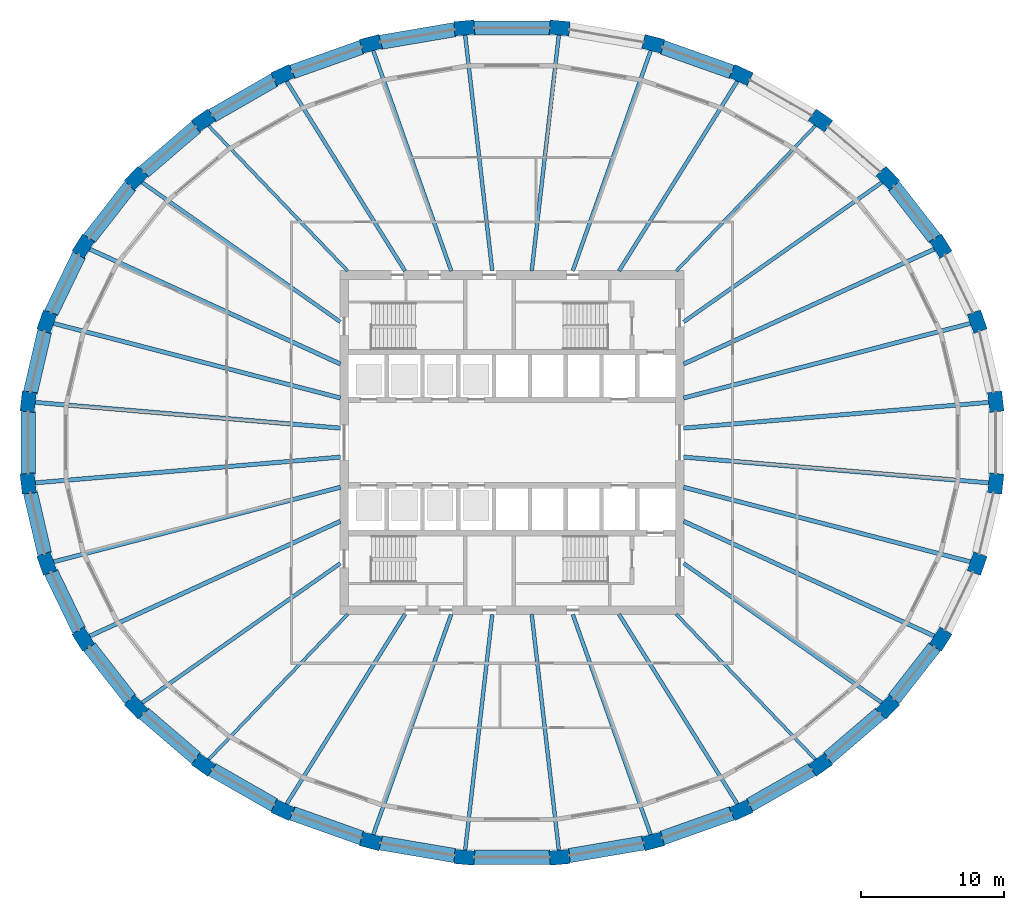
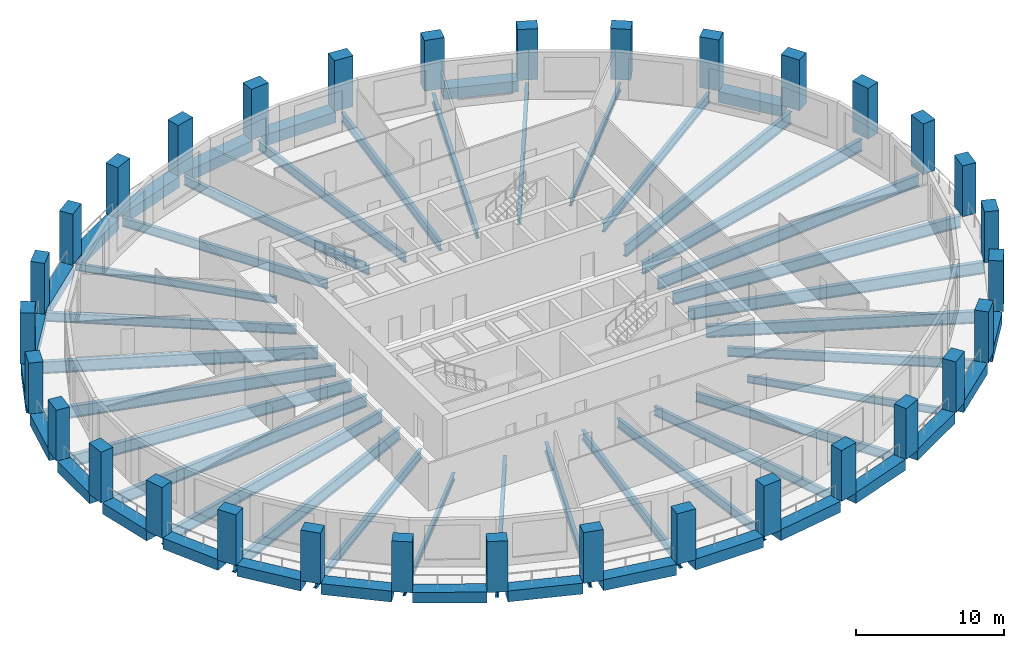
# One storey, part 1 of 10: 56 beams, 32 columns.
"""IFC4 building model written with IfcOpenShell, lengths in metres."""

from ifc_helpers import new_model, si_unit, direction, frame, origin, origin_2d, place, context, subcontext, project, spatial, rectangle, i_section, extrude, material, material_profile, profile_set, type_object, element, save


model = new_model("IFC4")

# Units and contexts
model_context = context("Model", 3, precision=1e-05, world=origin(), true_north=direction((0.0, 1.0)))
body_context = subcontext(model_context, "Body", "Model", "MODEL_VIEW")
ifc_project = project(units=[si_unit("LENGTHUNIT", "METRE"), si_unit("AREAUNIT", "SQUARE_METRE"), si_unit("VOLUMEUNIT", "CUBIC_METRE"), si_unit("PLANEANGLEUNIT", "RADIAN"), si_unit("MASSUNIT", "GRAM", prefix="KILO")], contexts=[model_context])

# Site, building, storey
site_placement = place(None, origin())
site = spatial("IfcSite", under=ifc_project, at=site_placement, CompositionType="ELEMENT")
building_placement = place(site_placement, origin())
building = spatial("IfcBuilding", under=site, at=building_placement, Name="Halqa Exchange Tower", CompositionType="ELEMENT")
storey_placement = place(building_placement, frame((0.0, 0.0, 159.10009765625)))
storey = spatial("IfcBuildingStorey", under=building, at=storey_placement, Name="L36", CompositionType="ELEMENT", Elevation=159.10009765625)

# Columns
ifc_material_1 = material(Name="Concrete C70/85", Category="concrete")
ifc_material_profile_1 = material_profile(ifc_material_1, rectangle(XDim=1.39990234375, YDim=1.0, at=origin_2d()), Name="1400 x 1000")
ifc_profile_set_1 = profile_set([ifc_material_profile_1], Name="Concrete C70/85")
column_type = type_object("IfcColumnType", Name="RC ring column 1400 x 1000 C70/85", PredefinedType="COLUMN", material=ifc_profile_set_1)
for number, where, z_axis, x_axis, name in (
    (1, (33.7578125, 2.849853515625, 0.0), (0.0, 0.0, 1.0), (-0.114155188058, 0.993462929877, 0.0), "Ring column 1"),
    (2, (32.46044921875, 8.440185546875, 0.0), (0.0, 0.0, 1.0), (-0.333634105554, 0.942702648565, 0.0), "Ring column 2"),
    (3, (29.915771484375, 13.7060546875, 0.0), (0.0, 0.0, 1.0), (-0.529143458197, 0.848532380435, 0.0), "Ring column 3"),
    (4, (26.221435546875, 18.445068359375, 0.0), (0.0, 0.0, 1.0), (-0.691578612608, 0.722301199351, 0.0), "Ring column 4"),
    (5, (21.519287109375, 22.475341796875, 0.0), (0.0, 0.0, 1.0), (-0.817910796357, 0.575345052297, 0.0), "Ring column 5"),
    (6, (15.990234375, 25.64208984375, 0.0), (0.0, 0.0, 1.0), (-0.909126368869, 0.416520402174, 0.0), "Ring column 6"),
    (7, (9.8466796875, 27.8232421875, 0.0), (0.0, 0.0, 1.0), (-0.967819503571, 0.251645402317, 0.0), "Ring column 7"),
    (8, (3.32470703125, 28.935302734375, 0.0), (0.0, 0.0, 1.0), (-0.996455225341, 0.084124811391, 0.0), "Ring column 8"),
    (9, (-3.32470703125, 28.935302734375, 0.0), (0.0, 0.0, 1.0), (-0.996455225341, -0.084124811391, 0.0), "Ring column 9"),
    (10, (-9.8466796875, 27.8232421875, 0.0), (0.0, 0.0, 1.0), (-0.967819503571, -0.251645402317, 0.0), "Ring column 10"),
    (11, (-15.990234375, 25.64208984375, 0.0), (0.0, 0.0, 1.0), (-0.909126368869, -0.416520402174, 0.0), "Ring column 11"),
    (12, (-21.519287109375, 22.475341796875, 0.0), (0.0, 0.0, 1.0), (-0.817910796357, -0.575345052297, 0.0), "Ring column 12"),
    (13, (-26.221435546875, 18.445068359375, 0.0), (0.0, 0.0, 1.0), (-0.691578612608, -0.722301199351, 0.0), "Ring column 13"),
    (14, (-29.915771484375, 13.7060546875, 0.0), (0.0, 0.0, 1.0), (-0.529143458197, -0.848532380435, 0.0), "Ring column 14"),
    (15, (-32.46044921875, 8.440185546875, 0.0), (0.0, 0.0, 1.0), (-0.333634105554, -0.942702648565, 0.0), "Ring column 15"),
    (16, (-33.7578125, 2.849853515625, 0.0), (0.0, 0.0, 1.0), (-0.114155188058, -0.993462929877, 0.0), "Ring column 16"),
    (17, (-33.7578125, -2.849853515625, 0.0), (0.0, 0.0, 1.0), (0.114155188058, -0.993462929877, 0.0), "Ring column 17"),
    (18, (-32.46044921875, -8.440185546875, 0.0), (0.0, 0.0, 1.0), (0.333634105554, -0.942702648565, 0.0), "Ring column 18"),
    (19, (-29.915771484375, -13.7060546875, 0.0), (0.0, 0.0, 1.0), (0.529143458197, -0.848532380435, 0.0), "Ring column 19"),
    (20, (-26.221435546875, -18.445068359375, 0.0), (0.0, 0.0, 1.0), (0.691578612608, -0.722301199351, 0.0), "Ring column 20"),
    (21, (-21.519287109375, -22.475341796875, 0.0), (0.0, 0.0, 1.0), (0.817910796357, -0.575345052297, 0.0), "Ring column 21"),
    (22, (-15.990234375, -25.64208984375, 0.0), (0.0, 0.0, 1.0), (0.909126368869, -0.416520402174, 0.0), "Ring column 22"),
    (23, (-9.8466796875, -27.8232421875, 0.0), (0.0, 0.0, 1.0), (0.967819503571, -0.251645402317, 0.0), "Ring column 23"),
    (24, (-3.32470703125, -28.935302734375, 0.0), (0.0, 0.0, 1.0), (0.996455225341, -0.084124811391, 0.0), "Ring column 24"),
    (25, (3.32470703125, -28.935302734375, 0.0), (0.0, 0.0, 1.0), (0.996455225341, 0.084124811391, 0.0), "Ring column 25"),
    (26, (9.8466796875, -27.8232421875, 0.0), (0.0, 0.0, 1.0), (0.967819503571, 0.251645402317, 0.0), "Ring column 26"),
    (27, (15.990234375, -25.64208984375, 0.0), (0.0, 0.0, 1.0), (0.909126368869, 0.416520402174, 0.0), "Ring column 27"),
    (28, (21.519287109375, -22.475341796875, 0.0), (0.0, 0.0, 1.0), (0.817910796357, 0.575345052297, 0.0), "Ring column 28"),
    (29, (26.221435546875, -18.445068359375, 0.0), (0.0, 0.0, 1.0), (0.691578612608, 0.722301199351, 0.0), "Ring column 29"),
    (30, (29.915771484375, -13.7060546875, 0.0), (0.0, 0.0, 1.0), (0.529143458197, 0.848532380435, 0.0), "Ring column 30"),
    (31, (32.46044921875, -8.440185546875, 0.0), (0.0, 0.0, 1.0), (0.333634105554, 0.942702648565, 0.0), "Ring column 31"),
    (32, (33.7578125, -2.849853515625, 0.0), (0.0, 0.0, 1.0), (0.114155188058, 0.993462929877, 0.0), "Ring column 32"),
):
    element("IfcColumn", number, at=place(storey_placement, frame(where, z_axis=z_axis, x_axis=x_axis)), inside=storey, type_object=column_type, Name=name, PredefinedType="COLUMN", context=body_context, shape_type="SweptSolid", body=[
        extrude(rectangle(XDim=1.39990234375, YDim=1.0, at=origin_2d()), origin(), (0.0, 0.0, 1.0), 4.199951171875),
    ])

# Beams
ifc_material_2 = material(Name="Steel S355", Category="steel")
ifc_material_profile_2 = material_profile(ifc_material_2, i_section(OverallWidth=0.300048828125, OverallDepth=0.989990234375, WebThickness=0.0166015625, FlangeThickness=0.031005859375, FilletRadius=0.030029296875, at=origin_2d()), Name="HEA 1000")
ifc_profile_set_2 = profile_set([ifc_material_profile_2], Name="Steel S355")
beam_type_1 = type_object("IfcBeamType", Name="Floor beam HEA 1000", PredefinedType="BEAM", material=ifc_profile_set_2)
beam_1_placement = place(storey_placement, frame((11.972412109375, 1.0107421875, -0.795166015625), z_axis=(0.996455470836, 0.084121903455, 0.0), x_axis=(-0.084121903455, 0.996455470836, 0.0)))
element("IfcBeam", 33, at=beam_1_placement, inside=storey, type_object=beam_type_1, Name="Radial beam 1", PredefinedType="BEAM", context=body_context, shape_type="SweptSolid", body=[
    extrude(i_section(OverallWidth=0.300048828125, OverallDepth=0.989990234375, WebThickness=0.0166015625, FlangeThickness=0.031005859375, FilletRadius=0.030029296875, at=origin_2d()), origin(), (0.0, 0.0, 1.0), 21.490966796875),
])
beam_2_placement = place(storey_placement, frame((11.97119140625, 3.11279296875, -0.795166015625), z_axis=(0.967821534715, 0.251637590478, 0.0), x_axis=(-0.251637590478, 0.967821534715, 0.0)))
element("IfcBeam", 34, at=beam_2_placement, inside=storey, type_object=beam_type_1, Name="Radial beam 2", PredefinedType="BEAM", context=body_context, shape_type="SweptSolid", body=[
    extrude(i_section(OverallWidth=0.300048828125, OverallDepth=0.989990234375, WebThickness=0.0166015625, FlangeThickness=0.031005859375, FilletRadius=0.030029296875, at=origin_2d()), origin(), (0.0, 0.0, 1.0), 20.79638671875),
])
for number, where, z_axis, x_axis, name in (
    (35, (11.972412109375, 5.4853515625, -0.795166015625), (0.909131678644, 0.416508812495, 0.0), (-0.416508812495, 0.909131678644, 0.0), "Radial beam 3"),
    (36, (-11.972412109375, 5.4853515625, -0.795166015625), (-0.909131678644, 0.416508812495, 0.0), (-0.416508812495, -0.909131678644, 0.0), "Radial beam 14"),
):
    element("IfcBeam", number, at=place(storey_placement, frame(where, z_axis=z_axis, x_axis=x_axis)), inside=storey, type_object=beam_type_1, Name=name, PredefinedType="BEAM", context=body_context, shape_type="SweptSolid", body=[
        extrude(i_section(OverallWidth=0.300048828125, OverallDepth=0.989990234375, WebThickness=0.0166015625, FlangeThickness=0.031005859375, FilletRadius=0.030029296875, at=origin_2d()), origin(), (0.0, 0.0, 1.0), 19.36083984375),
    ])
beam_3_placement = place(storey_placement, frame((-11.97119140625, 3.11279296875, -0.795166015625), z_axis=(-0.967821534715, 0.251637590478, 0.0), x_axis=(-0.251637590478, -0.967821534715, 0.0)))
element("IfcBeam", 37, at=beam_3_placement, inside=storey, type_object=beam_type_1, Name="Radial beam 15", PredefinedType="BEAM", context=body_context, shape_type="SweptSolid", body=[
    extrude(i_section(OverallWidth=0.300048828125, OverallDepth=0.989990234375, WebThickness=0.0166015625, FlangeThickness=0.031005859375, FilletRadius=0.030029296875, at=origin_2d()), origin(), (0.0, 0.0, 1.0), 20.79638671875),
])
for number, where, z_axis, x_axis, name in (
    (38, (-11.972412109375, 1.0107421875, -0.795166015625), (-0.996455470836, 0.084121903455, 0.0), (-0.084121903455, -0.996455470836, 0.0), "Radial beam 16"),
    (39, (-11.972412109375, -1.0107421875, -0.795166015625), (-0.996455470836, -0.084121903455, 0.0), (0.084121903455, -0.996455470836, 0.0), "Radial beam 17"),
):
    element("IfcBeam", number, at=place(storey_placement, frame(where, z_axis=z_axis, x_axis=x_axis)), inside=storey, type_object=beam_type_1, Name=name, PredefinedType="BEAM", context=body_context, shape_type="SweptSolid", body=[
        extrude(i_section(OverallWidth=0.300048828125, OverallDepth=0.989990234375, WebThickness=0.0166015625, FlangeThickness=0.031005859375, FilletRadius=0.030029296875, at=origin_2d()), origin(), (0.0, 0.0, 1.0), 21.490966796875),
    ])
beam_4_placement = place(storey_placement, frame((-11.97119140625, -3.11279296875, -0.795166015625), z_axis=(-0.967821534715, -0.251637590478, 0.0), x_axis=(0.251637590478, -0.967821534715, 0.0)))
element("IfcBeam", 40, at=beam_4_placement, inside=storey, type_object=beam_type_1, Name="Radial beam 18", PredefinedType="BEAM", context=body_context, shape_type="SweptSolid", body=[
    extrude(i_section(OverallWidth=0.300048828125, OverallDepth=0.989990234375, WebThickness=0.0166015625, FlangeThickness=0.031005859375, FilletRadius=0.030029296875, at=origin_2d()), origin(), (0.0, 0.0, 1.0), 20.79638671875),
])
for number, where, z_axis, x_axis, name in (
    (41, (-11.972412109375, -5.4853515625, -0.795166015625), (-0.909131678644, -0.416508812495, 0.0), (0.416508812495, -0.909131678644, 0.0), "Radial beam 19"),
    (42, (11.972412109375, -5.4853515625, -0.795166015625), (0.909131678644, -0.416508812495, 0.0), (0.416508812495, 0.909131678644, 0.0), "Radial beam 30"),
):
    element("IfcBeam", number, at=place(storey_placement, frame(where, z_axis=z_axis, x_axis=x_axis)), inside=storey, type_object=beam_type_1, Name=name, PredefinedType="BEAM", context=body_context, shape_type="SweptSolid", body=[
        extrude(i_section(OverallWidth=0.300048828125, OverallDepth=0.989990234375, WebThickness=0.0166015625, FlangeThickness=0.031005859375, FilletRadius=0.030029296875, at=origin_2d()), origin(), (0.0, 0.0, 1.0), 19.36083984375),
    ])
beam_5_placement = place(storey_placement, frame((11.97119140625, -3.11279296875, -0.795166015625), z_axis=(0.967821534715, -0.251637590478, 0.0), x_axis=(0.251637590478, 0.967821534715, 0.0)))
element("IfcBeam", 43, at=beam_5_placement, inside=storey, type_object=beam_type_1, Name="Radial beam 31", PredefinedType="BEAM", context=body_context, shape_type="SweptSolid", body=[
    extrude(i_section(OverallWidth=0.300048828125, OverallDepth=0.989990234375, WebThickness=0.0166015625, FlangeThickness=0.031005859375, FilletRadius=0.030029296875, at=origin_2d()), origin(), (0.0, 0.0, 1.0), 20.79638671875),
])
beam_6_placement = place(storey_placement, frame((11.972412109375, -1.0107421875, -0.795166015625), z_axis=(0.996455470836, -0.084121903455, 0.0), x_axis=(0.084121903455, 0.996455470836, 0.0)))
element("IfcBeam", 44, at=beam_6_placement, inside=storey, type_object=beam_type_1, Name="Radial beam 32", PredefinedType="BEAM", context=body_context, shape_type="SweptSolid", body=[
    extrude(i_section(OverallWidth=0.300048828125, OverallDepth=0.989990234375, WebThickness=0.0166015625, FlangeThickness=0.031005859375, FilletRadius=0.030029296875, at=origin_2d()), origin(), (0.0, 0.0, 1.0), 21.490966796875),
])
ifc_material_profile_3 = material_profile(ifc_material_2, i_section(OverallWidth=0.219970703125, OverallDepth=0.60009765625, WebThickness=0.011962890625, FlangeThickness=0.01904296875, FilletRadius=0.02392578125, at=origin_2d()), Name="IPE 600")
ifc_profile_set_3 = profile_set([ifc_material_profile_3], Name="Steel S355")
beam_type_2 = type_object("IfcBeamType", Name="Floor beam IPE 600", PredefinedType="BEAM", material=ifc_profile_set_3)
for number, where, z_axis, x_axis, name in (
    (45, (11.463134765625, 11.972412109375, -0.60009765625), (0.69157436899, 0.722305262445, 0.0), (-0.722305262445, 0.69157436899, 0.0), "Radial beam 5"),
    (46, (-11.463134765625, 11.972412109375, -0.60009765625), (-0.69157436899, 0.722305262445, 0.0), (-0.722305262445, -0.69157436899, 0.0), "Radial beam 12"),
    (47, (-11.463134765625, -11.972412109375, -0.60009765625), (-0.69157436899, -0.722305262445, 0.0), (0.722305262445, -0.69157436899, 0.0), "Radial beam 21"),
    (48, (11.463134765625, -11.972412109375, -0.60009765625), (0.69157436899, -0.722305262445, 0.0), (0.722305262445, 0.69157436899, 0.0), "Radial beam 28"),
):
    element("IfcBeam", number, at=place(storey_placement, frame(where, z_axis=z_axis, x_axis=x_axis)), inside=storey, type_object=beam_type_2, Name=name, PredefinedType="BEAM", context=body_context, shape_type="SweptSolid", body=[
        extrude(i_section(OverallWidth=0.219970703125, OverallDepth=0.60009765625, WebThickness=0.011962890625, FlangeThickness=0.01904296875, FilletRadius=0.02392578125, at=origin_2d()), origin(), (0.0, 0.0, 1.0), 14.1650390625),
    ])
ifc_material_profile_4 = material_profile(ifc_material_2, i_section(OverallWidth=0.264892578125, OverallDepth=0.7529296875, WebThickness=0.01318359375, FlangeThickness=0.01708984375, FilletRadius=0.01708984375, at=origin_2d()), Name="IPE 750x147")
ifc_profile_set_4 = profile_set([ifc_material_profile_4], Name="Steel S355")
beam_type_3 = type_object("IfcBeamType", Name="Floor beam IPE 750x147", PredefinedType="BEAM", material=ifc_profile_set_4)
beam_7_placement = place(storey_placement, frame((11.97216796875, 8.421630859375, -0.676513671875), z_axis=(0.817907520887, 0.575349708678, 0.0), x_axis=(-0.575349708678, 0.817907520887, 0.0)))
element("IfcBeam", 49, at=beam_7_placement, inside=storey, type_object=beam_type_3, Name="Radial beam 4", PredefinedType="BEAM", context=body_context, shape_type="SweptSolid", body=[
    extrude(i_section(OverallWidth=0.264892578125, OverallDepth=0.7529296875, WebThickness=0.01318359375, FlangeThickness=0.01708984375, FilletRadius=0.01708984375, at=origin_2d()), origin(), (0.0, 0.0, 1.0), 17.04541015625),
])
beam_8_placement = place(storey_placement, frame((7.466064453125, 11.972412109375, -0.676513671875), z_axis=(0.529133889927, 0.848538347119, 0.0), x_axis=(-0.848538347119, 0.529133889927, 0.0)))
element("IfcBeam", 50, at=beam_8_placement, inside=storey, type_object=beam_type_3, Name="Radial beam 6", PredefinedType="BEAM", context=body_context, shape_type="SweptSolid", body=[
    extrude(i_section(OverallWidth=0.264892578125, OverallDepth=0.7529296875, WebThickness=0.01318359375, FlangeThickness=0.01708984375, FilletRadius=0.01708984375, at=origin_2d()), origin(), (0.0, 0.0, 1.0), 15.733642578125),
])
beam_9_placement = place(storey_placement, frame((4.23681640625, 11.9716796875, -0.676513671875), z_axis=(0.333623926377, 0.942706251039, 0.0), x_axis=(-0.942706251039, 0.333623926377, 0.0)))
element("IfcBeam", 51, at=beam_9_placement, inside=storey, type_object=beam_type_3, Name="Radial beam 7", PredefinedType="BEAM", context=body_context, shape_type="SweptSolid", body=[
    extrude(i_section(OverallWidth=0.264892578125, OverallDepth=0.7529296875, WebThickness=0.01318359375, FlangeThickness=0.01708984375, FilletRadius=0.01708984375, at=origin_2d()), origin(), (0.0, 0.0, 1.0), 16.44091796875),
])
for number, where, z_axis, x_axis, name in (
    (52, (1.375732421875, 11.972900390625, -0.676513671875), (0.114148055141, 0.993463749468, 0.0), (-0.993463749468, 0.114148055141, 0.0), "Radial beam 8"),
    (53, (-1.375732421875, 11.972900390625, -0.676513671875), (-0.114148055141, 0.993463749468, 0.0), (-0.993463749468, -0.114148055141, 0.0), "Radial beam 9"),
):
    element("IfcBeam", number, at=place(storey_placement, frame(where, z_axis=z_axis, x_axis=x_axis)), inside=storey, type_object=beam_type_3, Name=name, PredefinedType="BEAM", context=body_context, shape_type="SweptSolid", body=[
        extrude(i_section(OverallWidth=0.264892578125, OverallDepth=0.7529296875, WebThickness=0.01318359375, FlangeThickness=0.01708984375, FilletRadius=0.01708984375, at=origin_2d()), origin(), (0.0, 0.0, 1.0), 16.701904296875),
    ])
beam_10_placement = place(storey_placement, frame((-4.23681640625, 11.9716796875, -0.676513671875), z_axis=(-0.333623926377, 0.942706251039, 0.0), x_axis=(-0.942706251039, -0.333623926377, 0.0)))
element("IfcBeam", 54, at=beam_10_placement, inside=storey, type_object=beam_type_3, Name="Radial beam 10", PredefinedType="BEAM", context=body_context, shape_type="SweptSolid", body=[
    extrude(i_section(OverallWidth=0.264892578125, OverallDepth=0.7529296875, WebThickness=0.01318359375, FlangeThickness=0.01708984375, FilletRadius=0.01708984375, at=origin_2d()), origin(), (0.0, 0.0, 1.0), 16.44091796875),
])
beam_11_placement = place(storey_placement, frame((-7.466064453125, 11.972412109375, -0.676513671875), z_axis=(-0.529133889927, 0.848538347119, 0.0), x_axis=(-0.848538347119, -0.529133889927, 0.0)))
element("IfcBeam", 55, at=beam_11_placement, inside=storey, type_object=beam_type_3, Name="Radial beam 11", PredefinedType="BEAM", context=body_context, shape_type="SweptSolid", body=[
    extrude(i_section(OverallWidth=0.264892578125, OverallDepth=0.7529296875, WebThickness=0.01318359375, FlangeThickness=0.01708984375, FilletRadius=0.01708984375, at=origin_2d()), origin(), (0.0, 0.0, 1.0), 15.733642578125),
])
for number, where, z_axis, x_axis, name in (
    (56, (-11.97216796875, 8.421630859375, -0.676513671875), (-0.817907520887, 0.575349708678, 0.0), (-0.575349708678, -0.817907520887, 0.0), "Radial beam 13"),
    (57, (-11.97216796875, -8.421630859375, -0.676513671875), (-0.817907520887, -0.575349708678, 0.0), (0.575349708678, -0.817907520887, 0.0), "Radial beam 20"),
):
    element("IfcBeam", number, at=place(storey_placement, frame(where, z_axis=z_axis, x_axis=x_axis)), inside=storey, type_object=beam_type_3, Name=name, PredefinedType="BEAM", context=body_context, shape_type="SweptSolid", body=[
        extrude(i_section(OverallWidth=0.264892578125, OverallDepth=0.7529296875, WebThickness=0.01318359375, FlangeThickness=0.01708984375, FilletRadius=0.01708984375, at=origin_2d()), origin(), (0.0, 0.0, 1.0), 17.04541015625),
    ])
beam_12_placement = place(storey_placement, frame((-7.466064453125, -11.972412109375, -0.676513671875), z_axis=(-0.529133889927, -0.848538347119, 0.0), x_axis=(0.848538347119, -0.529133889927, 0.0)))
element("IfcBeam", 58, at=beam_12_placement, inside=storey, type_object=beam_type_3, Name="Radial beam 22", PredefinedType="BEAM", context=body_context, shape_type="SweptSolid", body=[
    extrude(i_section(OverallWidth=0.264892578125, OverallDepth=0.7529296875, WebThickness=0.01318359375, FlangeThickness=0.01708984375, FilletRadius=0.01708984375, at=origin_2d()), origin(), (0.0, 0.0, 1.0), 15.733642578125),
])
beam_13_placement = place(storey_placement, frame((-4.23681640625, -11.9716796875, -0.676513671875), z_axis=(-0.333623926377, -0.942706251039, 0.0), x_axis=(0.942706251039, -0.333623926377, 0.0)))
element("IfcBeam", 59, at=beam_13_placement, inside=storey, type_object=beam_type_3, Name="Radial beam 23", PredefinedType="BEAM", context=body_context, shape_type="SweptSolid", body=[
    extrude(i_section(OverallWidth=0.264892578125, OverallDepth=0.7529296875, WebThickness=0.01318359375, FlangeThickness=0.01708984375, FilletRadius=0.01708984375, at=origin_2d()), origin(), (0.0, 0.0, 1.0), 16.44091796875),
])
for number, where, z_axis, x_axis, name in (
    (60, (-1.375732421875, -11.972900390625, -0.676513671875), (-0.114148055141, -0.993463749468, 0.0), (0.993463749468, -0.114148055141, 0.0), "Radial beam 24"),
    (61, (1.375732421875, -11.972900390625, -0.676513671875), (0.114148055141, -0.993463749468, 0.0), (0.993463749468, 0.114148055141, 0.0), "Radial beam 25"),
):
    element("IfcBeam", number, at=place(storey_placement, frame(where, z_axis=z_axis, x_axis=x_axis)), inside=storey, type_object=beam_type_3, Name=name, PredefinedType="BEAM", context=body_context, shape_type="SweptSolid", body=[
        extrude(i_section(OverallWidth=0.264892578125, OverallDepth=0.7529296875, WebThickness=0.01318359375, FlangeThickness=0.01708984375, FilletRadius=0.01708984375, at=origin_2d()), origin(), (0.0, 0.0, 1.0), 16.701904296875),
    ])
beam_14_placement = place(storey_placement, frame((4.23681640625, -11.9716796875, -0.676513671875), z_axis=(0.333623926377, -0.942706251039, 0.0), x_axis=(0.942706251039, 0.333623926377, 0.0)))
element("IfcBeam", 62, at=beam_14_placement, inside=storey, type_object=beam_type_3, Name="Radial beam 26", PredefinedType="BEAM", context=body_context, shape_type="SweptSolid", body=[
    extrude(i_section(OverallWidth=0.264892578125, OverallDepth=0.7529296875, WebThickness=0.01318359375, FlangeThickness=0.01708984375, FilletRadius=0.01708984375, at=origin_2d()), origin(), (0.0, 0.0, 1.0), 16.44091796875),
])
beam_15_placement = place(storey_placement, frame((7.466064453125, -11.972412109375, -0.676513671875), z_axis=(0.529133889927, -0.848538347119, 0.0), x_axis=(0.848538347119, 0.529133889927, 0.0)))
element("IfcBeam", 63, at=beam_15_placement, inside=storey, type_object=beam_type_3, Name="Radial beam 27", PredefinedType="BEAM", context=body_context, shape_type="SweptSolid", body=[
    extrude(i_section(OverallWidth=0.264892578125, OverallDepth=0.7529296875, WebThickness=0.01318359375, FlangeThickness=0.01708984375, FilletRadius=0.01708984375, at=origin_2d()), origin(), (0.0, 0.0, 1.0), 15.733642578125),
])
beam_16_placement = place(storey_placement, frame((11.97216796875, -8.421630859375, -0.676513671875), z_axis=(0.817907520887, -0.575349708678, 0.0), x_axis=(0.575349708678, 0.817907520887, 0.0)))
element("IfcBeam", 64, at=beam_16_placement, inside=storey, type_object=beam_type_3, Name="Radial beam 29", PredefinedType="BEAM", context=body_context, shape_type="SweptSolid", body=[
    extrude(i_section(OverallWidth=0.264892578125, OverallDepth=0.7529296875, WebThickness=0.01318359375, FlangeThickness=0.01708984375, FilletRadius=0.01708984375, at=origin_2d()), origin(), (0.0, 0.0, 1.0), 17.04541015625),
])
ifc_material_3 = material(Name="Concrete C60/75", Category="concrete")
ifc_material_profile_5 = material_profile(ifc_material_3, rectangle(XDim=1.0, YDim=0.89990234375, at=origin_2d()), Name="1000 x 900")
ifc_profile_set_5 = profile_set([ifc_material_profile_5], Name="Concrete C60/75")
beam_type_4 = type_object("IfcBeamType", Name="RC spandrel beam 1000 x 900 C60/75", PredefinedType="SPANDREL", material=ifc_profile_set_5)
beam_17_placement = place(storey_placement, frame((29.500244140625, 14.239013671875, -0.4501953125), z_axis=(-0.614796515977, 0.78868577009, 0.0), x_axis=(-0.78868577009, -0.614796515977, 0.0)))
element("IfcBeam", 65, at=beam_17_placement, inside=storey, type_object=beam_type_4, Name="Spandrel 3", PredefinedType="SPANDREL", context=body_context, shape_type="SweptSolid", body=[
    extrude(rectangle(XDim=1.0, YDim=0.89990234375, at=origin_2d()), origin(), (0.0, 0.0, 1.0), 4.658447265625),
])
beam_18_placement = place(storey_placement, frame((15.354248046875, 25.867919921875, -0.4501953125), z_axis=(-0.942370602203, 0.334570841682, 0.0), x_axis=(-0.334570841682, -0.942370602203, 0.0)))
element("IfcBeam", 66, at=beam_18_placement, inside=storey, type_object=beam_type_4, Name="Spandrel 6", PredefinedType="SPANDREL", context=body_context, shape_type="SweptSolid", body=[
    extrude(rectangle(XDim=1.0, YDim=0.89990234375, at=origin_2d()), origin(), (0.0, 0.0, 1.0), 5.169921875),
])
beam_19_placement = place(storey_placement, frame((2.649658203125, 28.935302734375, -0.4501953125), z_axis=(-1.0, 0.0, 0.0), x_axis=(0.0, -1.0, 0.0)))
element("IfcBeam", 67, at=beam_19_placement, inside=storey, type_object=beam_type_4, Name="Spandrel 8", PredefinedType="SPANDREL", context=body_context, shape_type="SweptSolid", body=[
    extrude(rectangle(XDim=1.0, YDim=0.89990234375, at=origin_2d()), origin(), (0.0, 0.0, 1.0), 5.29931640625),
])
beam_20_placement = place(storey_placement, frame((-3.990478515625, 28.82177734375, -0.4501953125), z_axis=(-0.985766792744, -0.168118500836, 0.0), x_axis=(0.168118500836, -0.985766792744, 0.0)))
element("IfcBeam", 68, at=beam_20_placement, inside=storey, type_object=beam_type_4, Name="Spandrel 9", PredefinedType="SPANDREL", context=body_context, shape_type="SweptSolid", body=[
    extrude(rectangle(XDim=1.0, YDim=0.89990234375, at=origin_2d()), origin(), (0.0, 0.0, 1.0), 5.26708984375),
])
beam_21_placement = place(storey_placement, frame((-10.482177734375, 27.59765625, -0.4501953125), z_axis=(-0.942370602203, -0.334570841682, 0.0), x_axis=(0.334570841682, -0.942370602203, 0.0)))
element("IfcBeam", 69, at=beam_21_placement, inside=storey, type_object=beam_type_4, Name="Spandrel 10", PredefinedType="SPANDREL", context=body_context, shape_type="SweptSolid", body=[
    extrude(rectangle(XDim=1.0, YDim=0.89990234375, at=origin_2d()), origin(), (0.0, 0.0, 1.0), 5.169921875),
])
beam_22_placement = place(storey_placement, frame((-16.5751953125, 25.30712890625, -0.4501953125), z_axis=(-0.867743165303, -0.497012876161, 0.0), x_axis=(0.497012876161, -0.867743165303, 0.0)))
element("IfcBeam", 70, at=beam_22_placement, inside=storey, type_object=beam_type_4, Name="Spandrel 11", PredefinedType="SPANDREL", context=body_context, shape_type="SweptSolid", body=[
    extrude(rectangle(XDim=1.0, YDim=0.89990234375, at=origin_2d()), origin(), (0.0, 0.0, 1.0), 5.022705078125),
])
beam_23_placement = place(storey_placement, frame((-22.031005859375, 22.03662109375, -0.4501953125), z_axis=(-0.759260160399, -0.650787222394, 0.0), x_axis=(0.650787222394, -0.759260160399, 0.0)))
element("IfcBeam", 71, at=beam_23_placement, inside=storey, type_object=beam_type_4, Name="Spandrel 12", PredefinedType="SPANDREL", context=body_context, shape_type="SweptSolid", body=[
    extrude(rectangle(XDim=1.0, YDim=0.89990234375, at=origin_2d()), origin(), (0.0, 0.0, 1.0), 4.843505859375),
])
beam_24_placement = place(storey_placement, frame((-26.63623046875, 17.9130859375, -0.4501953125), z_axis=(-0.614796515977, -0.78868577009, 0.0), x_axis=(0.78868577009, -0.614796515977, 0.0)))
element("IfcBeam", 72, at=beam_24_placement, inside=storey, type_object=beam_type_4, Name="Spandrel 13", PredefinedType="SPANDREL", context=body_context, shape_type="SweptSolid", body=[
    extrude(rectangle(XDim=1.0, YDim=0.89990234375, at=origin_2d()), origin(), (0.0, 0.0, 1.0), 4.658447265625),
])
beam_25_placement = place(storey_placement, frame((-30.20947265625, 13.09814453125, -0.4501953125), z_axis=(-0.435099717308, -0.900382272148, 0.0), x_axis=(0.900382272148, -0.435099717308, 0.0)))
element("IfcBeam", 73, at=beam_25_placement, inside=storey, type_object=beam_type_4, Name="Spandrel 14", PredefinedType="SPANDREL", context=body_context, shape_type="SweptSolid", body=[
    extrude(rectangle(XDim=1.0, YDim=0.89990234375, at=origin_2d()), origin(), (0.0, 0.0, 1.0), 4.497314453125),
])
beam_26_placement = place(storey_placement, frame((-32.613525390625, 7.780517578125, -0.4501953125), z_axis=(-0.226050480348, -0.974115588795, 0.0), x_axis=(0.974115588795, -0.226050480348, 0.0)))
element("IfcBeam", 74, at=beam_26_placement, inside=storey, type_object=beam_type_4, Name="Spandrel 15", PredefinedType="SPANDREL", context=body_context, shape_type="SweptSolid", body=[
    extrude(rectangle(XDim=1.0, YDim=0.89990234375, at=origin_2d()), origin(), (0.0, 0.0, 1.0), 4.385986328125),
])
beam_27_placement = place(storey_placement, frame((-33.7578125, 2.173828125, -0.4501953125), z_axis=(0.0, -1.0, 0.0), x_axis=(1.0, 0.0, 0.0)))
element("IfcBeam", 75, at=beam_27_placement, inside=storey, type_object=beam_type_4, Name="Spandrel 16", PredefinedType="SPANDREL", context=body_context, shape_type="SweptSolid", body=[
    extrude(rectangle(XDim=1.0, YDim=0.89990234375, at=origin_2d()), origin(), (0.0, 0.0, 1.0), 4.34765625),
])
beam_28_placement = place(storey_placement, frame((-33.60498046875, -3.508056640625, -0.4501953125), z_axis=(0.226050480348, -0.974115588795, 0.0), x_axis=(0.974115588795, 0.226050480348, 0.0)))
element("IfcBeam", 76, at=beam_28_placement, inside=storey, type_object=beam_type_4, Name="Spandrel 17", PredefinedType="SPANDREL", context=body_context, shape_type="SweptSolid", body=[
    extrude(rectangle(XDim=1.0, YDim=0.89990234375, at=origin_2d()), origin(), (0.0, 0.0, 1.0), 4.385986328125),
])
beam_29_placement = place(storey_placement, frame((-32.166259765625, -9.048828125, -0.4501953125), z_axis=(0.435099717308, -0.900382272148, 0.0), x_axis=(0.900382272148, 0.435099717308, 0.0)))
element("IfcBeam", 77, at=beam_29_placement, inside=storey, type_object=beam_type_4, Name="Spandrel 18", PredefinedType="SPANDREL", context=body_context, shape_type="SweptSolid", body=[
    extrude(rectangle(XDim=1.0, YDim=0.89990234375, at=origin_2d()), origin(), (0.0, 0.0, 1.0), 4.497314453125),
])
beam_30_placement = place(storey_placement, frame((-29.500244140625, -14.239013671875, -0.4501953125), z_axis=(0.614796515977, -0.78868577009, 0.0), x_axis=(0.78868577009, 0.614796515977, 0.0)))
element("IfcBeam", 78, at=beam_30_placement, inside=storey, type_object=beam_type_4, Name="Spandrel 19", PredefinedType="SPANDREL", context=body_context, shape_type="SweptSolid", body=[
    extrude(rectangle(XDim=1.0, YDim=0.89990234375, at=origin_2d()), origin(), (0.0, 0.0, 1.0), 4.658447265625),
])
beam_31_placement = place(storey_placement, frame((-25.70849609375, -18.884521484375, -0.4501953125), z_axis=(0.759260160399, -0.650787222394, 0.0), x_axis=(0.650787222394, 0.759260160399, 0.0)))
element("IfcBeam", 79, at=beam_31_placement, inside=storey, type_object=beam_type_4, Name="Spandrel 20", PredefinedType="SPANDREL", context=body_context, shape_type="SweptSolid", body=[
    extrude(rectangle(XDim=1.0, YDim=0.89990234375, at=origin_2d()), origin(), (0.0, 0.0, 1.0), 4.843505859375),
])
beam_32_placement = place(storey_placement, frame((-20.93359375, -22.810791015625, -0.4501953125), z_axis=(0.867743165303, -0.497012876161, 0.0), x_axis=(0.497012876161, 0.867743165303, 0.0)))
element("IfcBeam", 80, at=beam_32_placement, inside=storey, type_object=beam_type_4, Name="Spandrel 21", PredefinedType="SPANDREL", context=body_context, shape_type="SweptSolid", body=[
    extrude(rectangle(XDim=1.0, YDim=0.89990234375, at=origin_2d()), origin(), (0.0, 0.0, 1.0), 5.022705078125),
])
beam_33_placement = place(storey_placement, frame((-15.354248046875, -25.867919921875, -0.4501953125), z_axis=(0.942370602203, -0.334570841682, 0.0), x_axis=(0.334570841682, 0.942370602203, 0.0)))
element("IfcBeam", 81, at=beam_33_placement, inside=storey, type_object=beam_type_4, Name="Spandrel 22", PredefinedType="SPANDREL", context=body_context, shape_type="SweptSolid", body=[
    extrude(rectangle(XDim=1.0, YDim=0.89990234375, at=origin_2d()), origin(), (0.0, 0.0, 1.0), 5.169921875),
])
beam_34_placement = place(storey_placement, frame((-9.1826171875, -27.936279296875, -0.4501953125), z_axis=(0.985766792744, -0.168118500836, 0.0), x_axis=(0.168118500836, 0.985766792744, 0.0)))
element("IfcBeam", 82, at=beam_34_placement, inside=storey, type_object=beam_type_4, Name="Spandrel 23", PredefinedType="SPANDREL", context=body_context, shape_type="SweptSolid", body=[
    extrude(rectangle(XDim=1.0, YDim=0.89990234375, at=origin_2d()), origin(), (0.0, 0.0, 1.0), 5.26708984375),
])
beam_35_placement = place(storey_placement, frame((-2.649658203125, -28.935302734375, -0.4501953125), z_axis=(1.0, 0.0, 0.0), x_axis=(0.0, 1.0, 0.0)))
element("IfcBeam", 83, at=beam_35_placement, inside=storey, type_object=beam_type_4, Name="Spandrel 24", PredefinedType="SPANDREL", context=body_context, shape_type="SweptSolid", body=[
    extrude(rectangle(XDim=1.0, YDim=0.89990234375, at=origin_2d()), origin(), (0.0, 0.0, 1.0), 5.29931640625),
])
beam_36_placement = place(storey_placement, frame((3.990478515625, -28.82177734375, -0.4501953125), z_axis=(0.985766792744, 0.168118500836, 0.0), x_axis=(-0.168118500836, 0.985766792744, 0.0)))
element("IfcBeam", 84, at=beam_36_placement, inside=storey, type_object=beam_type_4, Name="Spandrel 25", PredefinedType="SPANDREL", context=body_context, shape_type="SweptSolid", body=[
    extrude(rectangle(XDim=1.0, YDim=0.89990234375, at=origin_2d()), origin(), (0.0, 0.0, 1.0), 5.26708984375),
])
beam_37_placement = place(storey_placement, frame((10.482177734375, -27.59765625, -0.4501953125), z_axis=(0.942370602203, 0.334570841682, 0.0), x_axis=(-0.334570841682, 0.942370602203, 0.0)))
element("IfcBeam", 85, at=beam_37_placement, inside=storey, type_object=beam_type_4, Name="Spandrel 26", PredefinedType="SPANDREL", context=body_context, shape_type="SweptSolid", body=[
    extrude(rectangle(XDim=1.0, YDim=0.89990234375, at=origin_2d()), origin(), (0.0, 0.0, 1.0), 5.169921875),
])
beam_38_placement = place(storey_placement, frame((16.5751953125, -25.30712890625, -0.4501953125), z_axis=(0.867743165303, 0.497012876161, 0.0), x_axis=(-0.497012876161, 0.867743165303, 0.0)))
element("IfcBeam", 86, at=beam_38_placement, inside=storey, type_object=beam_type_4, Name="Spandrel 27", PredefinedType="SPANDREL", context=body_context, shape_type="SweptSolid", body=[
    extrude(rectangle(XDim=1.0, YDim=0.89990234375, at=origin_2d()), origin(), (0.0, 0.0, 1.0), 5.022705078125),
])
beam_39_placement = place(storey_placement, frame((22.031005859375, -22.03662109375, -0.4501953125), z_axis=(0.759260160399, 0.650787222394, 0.0), x_axis=(-0.650787222394, 0.759260160399, 0.0)))
element("IfcBeam", 87, at=beam_39_placement, inside=storey, type_object=beam_type_4, Name="Spandrel 28", PredefinedType="SPANDREL", context=body_context, shape_type="SweptSolid", body=[
    extrude(rectangle(XDim=1.0, YDim=0.89990234375, at=origin_2d()), origin(), (0.0, 0.0, 1.0), 4.843505859375),
])
beam_40_placement = place(storey_placement, frame((26.63623046875, -17.9130859375, -0.4501953125), z_axis=(0.614796515977, 0.78868577009, 0.0), x_axis=(-0.78868577009, 0.614796515977, 0.0)))
element("IfcBeam", 88, at=beam_40_placement, inside=storey, type_object=beam_type_4, Name="Spandrel 29", PredefinedType="SPANDREL", context=body_context, shape_type="SweptSolid", body=[
    extrude(rectangle(XDim=1.0, YDim=0.89990234375, at=origin_2d()), origin(), (0.0, 0.0, 1.0), 4.658447265625),
])

save(model, "model.ifc")
